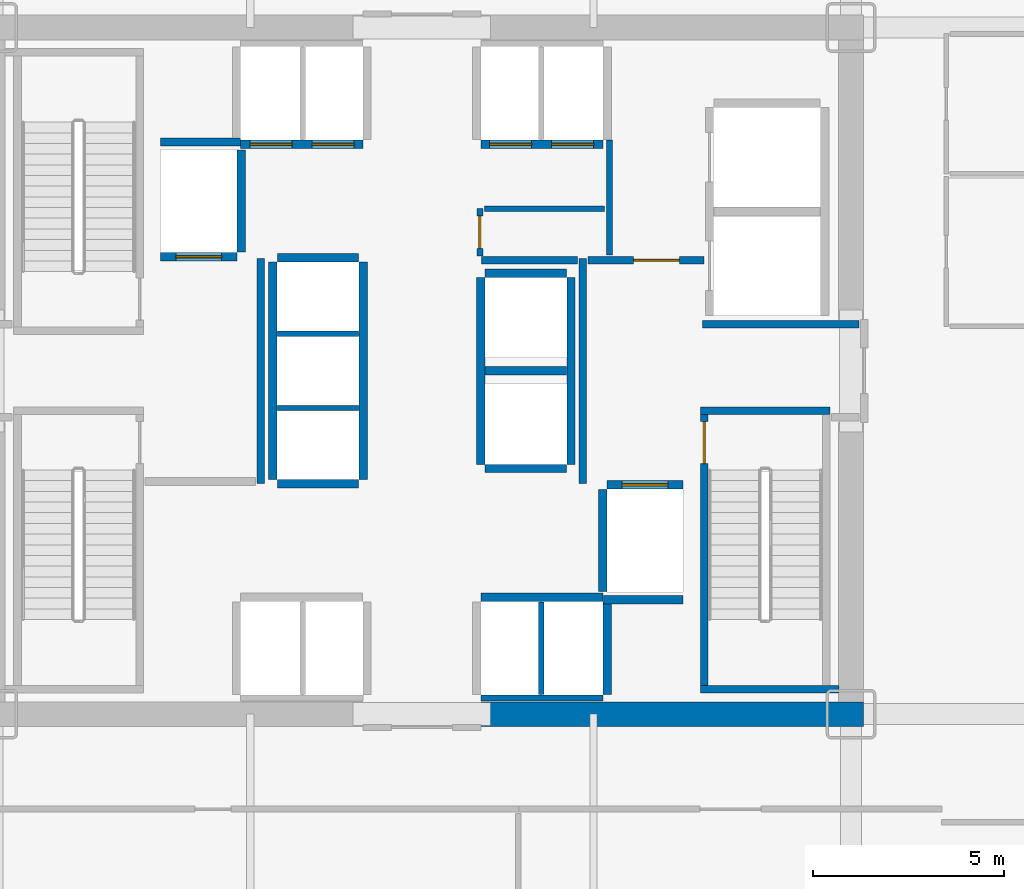
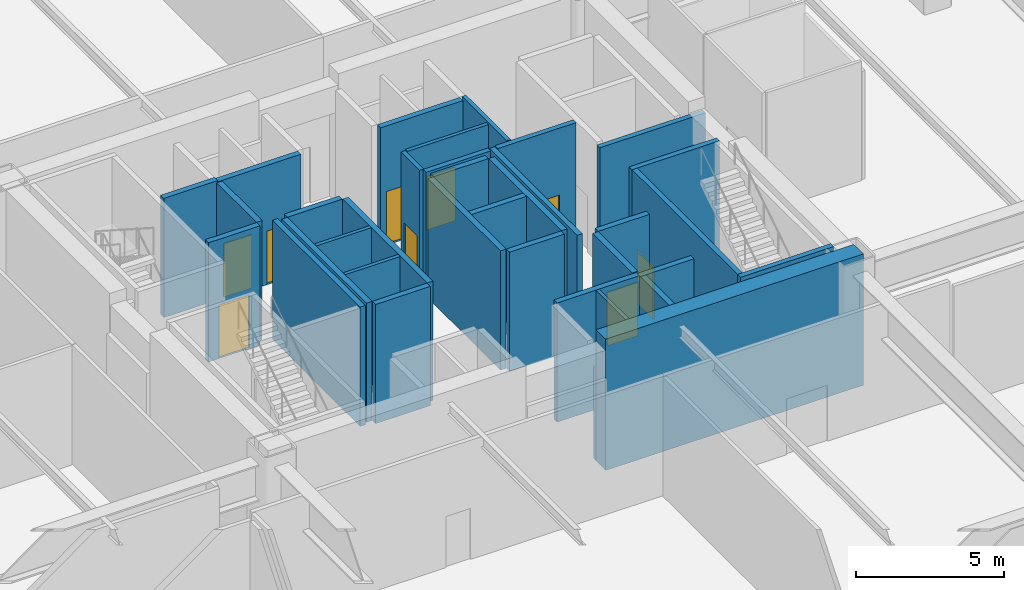
# One storey, part 18 of 24: 35 walls, 9 doors, 9 openings.
"""IFC4 building model written with IfcOpenShell, lengths in metres."""

from ifc_helpers import new_model, si_unit, direction, frame, frame_2d, origin, place, context, subcontext, project, spatial, rectangle, extrude, source, transform, mapped, material, layer, layer_set, type_object, element, fill, save


model = new_model("IFC4")

# Units and contexts
model_context = context("Model", 3, precision=1e-05, world=origin(), true_north=direction((0.0, 1.0)))
body_context = subcontext(model_context, "Body", "Model", "MODEL_VIEW")
ifc_project = project(units=[si_unit("LENGTHUNIT", "METRE"), si_unit("AREAUNIT", "SQUARE_METRE"), si_unit("VOLUMEUNIT", "CUBIC_METRE"), si_unit("PLANEANGLEUNIT", "RADIAN"), si_unit("MASSUNIT", "GRAM", prefix="KILO")], contexts=[model_context])

# Site, building, storey
site_placement = place(None, origin())
site = spatial("IfcSite", under=ifc_project, at=site_placement, CompositionType="ELEMENT")
building_placement = place(site_placement, origin())
building = spatial("IfcBuilding", under=site, at=building_placement, Name="Nefas-Gora Pilgrimage Tower", CompositionType="ELEMENT")
storey_placement = place(building_placement, frame((0.0, 0.0, 22.199951171875)))
storey = spatial("IfcBuildingStorey", under=building, at=storey_placement, Name="L04", CompositionType="ELEMENT", Elevation=22.199951171875)

# Walls
ifc_material_1 = material(Name="Concrete C60/75", Category="concrete")
ifc_layer_1 = layer(ifc_material_1, 0.64990234375)
ifc_layer_set_1 = layer_set([ifc_layer_1], Name="Concrete C60/75")
wall_type_1 = type_object("IfcWallType", Name="SW-CORE-650", PredefinedType="SHEAR", material=ifc_layer_set_1)
shared_shape_1 = source(origin(), body_context, "Body", "SweptSolid", [
    extrude(rectangle(XDim=10.02490234375, YDim=0.64990234375, at=frame_2d((5.012451171875, 0.0))), origin(), (0.0, 0.0, 1.0), 5.400146484375),
])
wall_1_placement = place(storey_placement, frame((1.550048828125, -9.0, 0.0), z_axis=(0.0, 0.0, 1.0), x_axis=(1.0, 0.0, 0.0)))
element("IfcWall", 1, at=wall_1_placement, inside=storey, type_object=wall_type_1, Name="L04 Core Shear Wall S-East", PredefinedType="SHEAR", context=body_context, shape_type="MappedRepresentation", body=[
    mapped(shared_shape_1, transform((0.0, 0.0, 0.0), x_axis=(1.0, 0.0, 0.0), y_axis=(0.0, 1.0, 0.0), z_axis=(0.0, 0.0, 1.0), scale=1.0)),
])
ifc_material_2 = material(Name="Concrete C45/55", Category="concrete")
ifc_layer_2 = layer(ifc_material_2, 0.199951171875)
ifc_layer_set_2 = layer_set([ifc_layer_2], Name="Concrete C45/55")
wall_type_2 = type_object("IfcWallType", Name="IW-STAIR-200", PredefinedType="SOLIDWALL", material=ifc_layer_set_2)
shared_shape_2 = source(origin(), body_context, "Body", "SweptSolid", [
    extrude(rectangle(XDim=3.39990234375, YDim=0.199951171875, at=frame_2d((1.699951171875, 0.0))), origin(), (0.0, 0.0, 1.0), 5.400146484375),
])
wall_2_placement = place(storey_placement, frame((7.300048828125, -1.050048828125, 0.0), z_axis=(0.0, 0.0, 1.0), x_axis=(1.0, 0.0, 0.0)))
element("IfcWall", 2, at=wall_2_placement, inside=storey, type_object=wall_type_2, Name="L04 Stairwell Shear Wall ST-02-near", PredefinedType="SOLIDWALL", context=body_context, shape_type="MappedRepresentation", body=[
    mapped(shared_shape_2, transform((0.0, 0.0, 0.0), x_axis=(1.0, 0.0, 0.0), y_axis=(0.0, 1.0, 0.0), z_axis=(0.0, 0.0, 1.0), scale=1.0)),
])
shared_shape_3 = source(origin(), body_context, "Body", "SweptSolid", [
    extrude(rectangle(XDim=3.6298828125, YDim=0.199951171875, at=frame_2d((1.81494140625, 0.0))), origin(), (0.0, 0.0, 1.0), 5.400146484375),
])
wall_3_placement = place(storey_placement, frame((7.300048828125, -8.35009765625, 0.0), z_axis=(0.0, 0.0, 1.0), x_axis=(1.0, 0.0, 0.0)))
element("IfcWall", 3, at=wall_3_placement, inside=storey, type_object=wall_type_2, Name="L04 Stairwell Shear Wall ST-02-far", PredefinedType="SOLIDWALL", context=body_context, shape_type="MappedRepresentation", body=[
    mapped(shared_shape_3, transform((0.0, 0.0, 0.0), x_axis=(1.0, 0.0, 0.0), y_axis=(0.0, 1.0, 0.0), z_axis=(0.0, 0.0, 1.0), scale=1.0)),
])

# Wall, opening, door
shared_shape_4 = source(origin(), body_context, "Body", "SweptSolid", [
    extrude(rectangle(XDim=7.10009765625, YDim=0.199951171875, at=frame_2d((3.550048828125, 0.0))), origin(), (0.0, 0.0, 1.0), 5.400146484375),
])
wall_4_placement = place(storey_placement, frame((7.39990234375, -1.14990234375, 0.0), z_axis=(0.0, 0.0, 1.0), x_axis=(0.0, -1.0, 0.0)))
wall_4 = element("IfcWall", 4, at=wall_4_placement, inside=storey, type_object=wall_type_2, Name="L04 Stairwell Shear Wall ST-02-left", PredefinedType="SOLIDWALL", context=body_context, shape_type="MappedRepresentation", body=[
    mapped(shared_shape_4, transform((0.0, 0.0, 0.0), x_axis=(1.0, 0.0, 0.0), y_axis=(0.0, 1.0, 0.0), z_axis=(0.0, 0.0, 1.0), scale=1.0)),
])
opening_1_placement = place(wall_4_placement, frame((0.179931640625, 0.0, 0.0)))
opening_1 = element("IfcOpeningElement", 5, at=opening_1_placement, cuts=wall_4, Name="Opening ID-ST1", PredefinedType="OPENING", context=body_context, shape_type="SweptSolid", body=[
    extrude(rectangle(XDim=1.10009765625, YDim=2.14990234375, at=frame_2d((0.550048828125, 1.074951171875))), frame((0.0, 0.10986328125, 0.0), z_axis=(0.0, -1.0, 0.0), x_axis=(1.0, 0.0, 0.0)), (0.0, 0.0, 1.0), 0.219970703125),
])
ifc_material_3 = material(Name="Painted galvanised steel fire stair door", Category="steel")
door_type_1 = type_object("IfcDoorType", Name="DR-INT-STAIR-1100", OperationType="NOTDEFINED", PredefinedType="DOOR", material=ifc_material_3)
shared_shape_5 = source(origin(), body_context, "Body", "SweptSolid", [
    extrude(rectangle(XDim=1.10009765625, YDim=2.14990234375, at=frame_2d((0.550048828125, 1.074951171875))), frame((0.0, 0.02490234375, 0.0), z_axis=(0.0, -1.0, 0.0), x_axis=(1.0, 0.0, 0.0)), (0.0, 0.0, 1.0), 0.050048828125),
])
door_1_placement = place(opening_1_placement, origin())
door_1 = element("IfcDoor", 6, at=door_1_placement, inside=storey, type_object=door_type_1, Name="L04 Protected Exit Stair Door ST-02", OperationType="SINGLE_SWING_LEFT", OverallHeight=2.14990234375, OverallWidth=1.10009765625, PredefinedType="DOOR", context=body_context, shape_type="MappedRepresentation", body=[
    mapped(shared_shape_5, transform((0.0, 0.0, 0.0), x_axis=(1.0, 0.0, 0.0), y_axis=(0.0, 1.0, 0.0), z_axis=(0.0, 0.0, 1.0), scale=1.0)),
])
fill(opening_1, door_1)

ifc_material_4 = material(Name="Concrete C40/50", Category="concrete")
ifc_layer_3 = layer(ifc_material_4, 0.219970703125)
ifc_layer_set_3 = layer_set([ifc_layer_3], Name="Concrete C40/50")
wall_type_3 = type_object("IfcWallType", Name="IW-SHAFT-220", PredefinedType="SOLIDWALL", material=ifc_layer_set_3)
shared_shape_6 = source(origin(), body_context, "Body", "SweptSolid", [
    extrude(rectangle(XDim=2.0, YDim=0.219970703125, at=frame_2d((1.0, 0.0))), origin(), (0.0, 0.0, 1.0), 4.905029296875),
])
wall_5_placement = place(storey_placement, frame((-6.85009765625, 2.989990234375, 0.0), z_axis=(0.0, 0.0, 1.0), x_axis=(1.0, 0.0, 0.0)))
wall_5 = element("IfcWall", 7, at=wall_5_placement, inside=storey, type_object=wall_type_3, Name="L04 Hoistway Wall FFL-01-S", PredefinedType="SOLIDWALL", context=body_context, shape_type="MappedRepresentation", body=[
    mapped(shared_shape_6, transform((0.0, 0.0, 0.0), x_axis=(1.0, 0.0, 0.0), y_axis=(0.0, 1.0, 0.0), z_axis=(0.0, 0.0, 1.0), scale=1.0)),
])
opening_2_placement = place(wall_5_placement, frame((0.39990234375, 0.0, 0.0)))
opening_2 = element("IfcOpeningElement", 8, at=opening_2_placement, cuts=wall_5, Name="Opening LD-FF", PredefinedType="OPENING", context=body_context, shape_type="SweptSolid", body=[
    extrude(rectangle(XDim=1.199951171875, YDim=2.199951171875, at=frame_2d((0.60009765625, 1.10009765625))), frame((0.0, 0.119873046875, 0.0), z_axis=(0.0, -1.0, 0.0), x_axis=(1.0, 0.0, 0.0)), (0.0, 0.0, 1.0), 0.239990234375),
])
ifc_material_5 = material(Name="Fire-service sliding lift landing door")
door_type_2 = type_object("IfcDoorType", Name="DR-LIFT-FSAE-1200", OperationType="SLIDING_TO_LEFT", PredefinedType="DOOR", material=ifc_material_5)
shared_shape_7 = source(origin(), body_context, "Body", "SweptSolid", [
    extrude(rectangle(XDim=1.199951171875, YDim=2.199951171875, at=frame_2d((0.60009765625, 1.10009765625))), frame((0.0, 0.02490234375, 0.0), z_axis=(0.0, -1.0, 0.0), x_axis=(1.0, 0.0, 0.0)), (0.0, 0.0, 1.0), 0.050048828125),
])
door_2_placement = place(opening_2_placement, origin())
door_2 = element("IfcDoor", 9, at=door_2_placement, inside=storey, type_object=door_type_2, Name="L04 Sliding Lift Landing Door FFL-01", OperationType="SLIDING_TO_LEFT", OverallHeight=2.199951171875, OverallWidth=1.199951171875, PredefinedType="DOOR", context=body_context, shape_type="MappedRepresentation", body=[
    mapped(shared_shape_7, transform((0.0, 0.0, 0.0), x_axis=(1.0, 0.0, 0.0), y_axis=(0.0, 1.0, 0.0), z_axis=(0.0, 0.0, 1.0), scale=1.0)),
])
fill(opening_2, door_2)

wall_6_placement = place(storey_placement, frame((6.85009765625, -2.989990234375, 0.0), z_axis=(0.0, 0.0, 1.0), x_axis=(-1.0, 0.0, 0.0)))
wall_6 = element("IfcWall", 10, at=wall_6_placement, inside=storey, type_object=wall_type_3, Name="L04 Hoistway Wall FFL-02-N", PredefinedType="SOLIDWALL", context=body_context, shape_type="MappedRepresentation", body=[
    mapped(shared_shape_6, transform((0.0, 0.0, 0.0), x_axis=(1.0, 0.0, 0.0), y_axis=(0.0, 1.0, 0.0), z_axis=(0.0, 0.0, 1.0), scale=1.0)),
])
opening_3_placement = place(wall_6_placement, frame((0.39990234375, 0.0, 0.0)))
opening_3 = element("IfcOpeningElement", 11, at=opening_3_placement, cuts=wall_6, Name="Opening LD-FF", PredefinedType="OPENING", context=body_context, shape_type="SweptSolid", body=[
    extrude(rectangle(XDim=1.199951171875, YDim=2.199951171875, at=frame_2d((0.60009765625, 1.10009765625))), frame((0.0, 0.119873046875, 0.0), z_axis=(0.0, -1.0, 0.0), x_axis=(1.0, 0.0, 0.0)), (0.0, 0.0, 1.0), 0.239990234375),
])
door_3_placement = place(opening_3_placement, origin())
door_3 = element("IfcDoor", 12, at=door_3_placement, inside=storey, type_object=door_type_2, Name="L04 Sliding Lift Landing Door FFL-02", OperationType="SLIDING_TO_LEFT", OverallHeight=2.199951171875, OverallWidth=1.199951171875, PredefinedType="DOOR", context=body_context, shape_type="MappedRepresentation", body=[
    mapped(shared_shape_7, transform((0.0, 0.0, 0.0), x_axis=(1.0, 0.0, 0.0), y_axis=(0.0, 1.0, 0.0), z_axis=(0.0, 0.0, 1.0), scale=1.0)),
])
fill(opening_3, door_3)

# Walls
shared_shape_8 = source(origin(), body_context, "Body", "SweptSolid", [
    extrude(rectangle(XDim=2.679931640625, YDim=0.219970703125, at=frame_2d((1.33984375, 0.0))), origin(), (0.0, 0.0, 1.0), 4.905029296875),
])
for number, where, z_axis, x_axis, name in (
    (13, (-4.739990234375, 3.110107421875, 0.0), (0.0, 0.0, 1.0), (0.0, 1.0, 0.0), "L04 Hoistway Wall FFL-01-E"),
    (14, (4.739990234375, -3.110107421875, 0.0), (0.0, 0.0, 1.0), (0.0, -1.0, 0.0), "L04 Hoistway Wall FFL-02-W"),
):
    element("IfcWall", number, at=place(storey_placement, frame(where, z_axis=z_axis, x_axis=x_axis)), inside=storey, type_object=wall_type_3, Name=name, PredefinedType="SOLIDWALL", context=body_context, shape_type="MappedRepresentation", body=[
        mapped(shared_shape_8, transform((0.0, 0.0, 0.0), x_axis=(1.0, 0.0, 0.0), y_axis=(0.0, 1.0, 0.0), z_axis=(0.0, 0.0, 1.0), scale=1.0)),
    ])

# Wall, openings, doors
shared_shape_9 = source(origin(), body_context, "Body", "SweptSolid", [
    extrude(rectangle(XDim=3.199951171875, YDim=0.219970703125, at=frame_2d((1.60009765625, 0.0))), origin(), (0.0, 0.0, 1.0), 4.905029296875),
])
wall_7_placement = place(storey_placement, frame((-4.75, 5.93994140625, 0.0), z_axis=(0.0, 0.0, 1.0), x_axis=(1.0, 0.0, 0.0)))
wall_7 = element("IfcWall", 15, at=wall_7_placement, inside=storey, type_object=wall_type_3, Name="L04 Hoistway Wall PL1-W-S", PredefinedType="SOLIDWALL", context=body_context, shape_type="MappedRepresentation", body=[
    mapped(shared_shape_9, transform((0.0, 0.0, 0.0), x_axis=(1.0, 0.0, 0.0), y_axis=(0.0, 1.0, 0.0), z_axis=(0.0, 0.0, 1.0), scale=1.0)),
])
opening_4_placement = place(wall_7_placement, frame((0.25, 0.0, 0.0)))
opening_4 = element("IfcOpeningElement", 16, at=opening_4_placement, cuts=wall_7, Name="Opening LD-01", PredefinedType="OPENING", context=body_context, shape_type="SweptSolid", body=[
    extrude(rectangle(XDim=1.10009765625, YDim=2.199951171875, at=frame_2d((0.550048828125, 1.10009765625))), frame((0.0, 0.119873046875, 0.0), z_axis=(0.0, -1.0, 0.0), x_axis=(1.0, 0.0, 0.0)), (0.0, 0.0, 1.0), 0.239990234375),
])
opening_5_placement = place(wall_7_placement, frame((1.875, 0.0, 0.0)))
opening_5 = element("IfcOpeningElement", 17, at=opening_5_placement, cuts=wall_7, Name="Opening LD-01", PredefinedType="OPENING", context=body_context, shape_type="SweptSolid", body=[
    extrude(rectangle(XDim=1.10009765625, YDim=2.199951171875, at=frame_2d((0.550048828125, 1.10009765625))), frame((0.0, 0.119873046875, 0.0), z_axis=(0.0, -1.0, 0.0), x_axis=(1.0, 0.0, 0.0)), (0.0, 0.0, 1.0), 0.239990234375),
])
ifc_material_6 = material(Name="Brushed stainless sliding lift landing door")
door_type_3 = type_object("IfcDoorType", Name="DR-LIFT-PASS-1100", OperationType="DOUBLE_DOOR_SLIDING", PredefinedType="DOOR", material=ifc_material_6)
shared_shape_10 = source(origin(), body_context, "Body", "SweptSolid", [
    extrude(rectangle(XDim=1.10009765625, YDim=2.199951171875, at=frame_2d((0.550048828125, 1.10009765625))), frame((0.0, 0.02490234375, 0.0), z_axis=(0.0, -1.0, 0.0), x_axis=(1.0, 0.0, 0.0)), (0.0, 0.0, 1.0), 0.050048828125),
])
door_4_placement = place(opening_4_placement, origin())
door_4 = element("IfcDoor", 18, at=door_4_placement, inside=storey, type_object=door_type_3, Name="L04 Sliding Lift Landing Door PL1-01", OperationType="DOUBLE_DOOR_SLIDING", OverallHeight=2.199951171875, OverallWidth=1.10009765625, PredefinedType="DOOR", context=body_context, shape_type="MappedRepresentation", body=[
    mapped(shared_shape_10, transform((0.0, 0.0, 0.0), x_axis=(1.0, 0.0, 0.0), y_axis=(0.0, 1.0, 0.0), z_axis=(0.0, 0.0, 1.0), scale=1.0)),
])
fill(opening_4, door_4)
door_5_placement = place(opening_5_placement, origin())
door_5 = element("IfcDoor", 19, at=door_5_placement, inside=storey, type_object=door_type_3, Name="L04 Sliding Lift Landing Door PL1-02", OperationType="DOUBLE_DOOR_SLIDING", OverallHeight=2.199951171875, OverallWidth=1.10009765625, PredefinedType="DOOR", context=body_context, shape_type="MappedRepresentation", body=[
    mapped(shared_shape_10, transform((0.0, 0.0, 0.0), x_axis=(1.0, 0.0, 0.0), y_axis=(0.0, 1.0, 0.0), z_axis=(0.0, 0.0, 1.0), scale=1.0)),
])
fill(opening_5, door_5)

wall_8_placement = place(storey_placement, frame((1.550048828125, 5.93994140625, 0.0), z_axis=(0.0, 0.0, 1.0), x_axis=(1.0, 0.0, 0.0)))
wall_8 = element("IfcWall", 20, at=wall_8_placement, inside=storey, type_object=wall_type_3, Name="L04 Hoistway Wall PL1-E-S", PredefinedType="SOLIDWALL", context=body_context, shape_type="MappedRepresentation", body=[
    mapped(shared_shape_9, transform((0.0, 0.0, 0.0), x_axis=(1.0, 0.0, 0.0), y_axis=(0.0, 1.0, 0.0), z_axis=(0.0, 0.0, 1.0), scale=1.0)),
])
opening_6_placement = place(wall_8_placement, frame((0.22509765625, 0.0, 0.0)))
opening_6 = element("IfcOpeningElement", 21, at=opening_6_placement, cuts=wall_8, Name="Opening LD-01", PredefinedType="OPENING", context=body_context, shape_type="SweptSolid", body=[
    extrude(rectangle(XDim=1.10009765625, YDim=2.199951171875, at=frame_2d((0.550048828125, 1.10009765625))), frame((0.0, 0.119873046875, 0.0), z_axis=(0.0, -1.0, 0.0), x_axis=(1.0, 0.0, 0.0)), (0.0, 0.0, 1.0), 0.239990234375),
])
opening_7_placement = place(wall_8_placement, frame((1.85009765625, 0.0, 0.0)))
opening_7 = element("IfcOpeningElement", 22, at=opening_7_placement, cuts=wall_8, Name="Opening LD-01", PredefinedType="OPENING", context=body_context, shape_type="SweptSolid", body=[
    extrude(rectangle(XDim=1.10009765625, YDim=2.199951171875, at=frame_2d((0.550048828125, 1.10009765625))), frame((0.0, 0.119873046875, 0.0), z_axis=(0.0, -1.0, 0.0), x_axis=(1.0, 0.0, 0.0)), (0.0, 0.0, 1.0), 0.239990234375),
])
door_6_placement = place(opening_6_placement, origin())
door_6 = element("IfcDoor", 23, at=door_6_placement, inside=storey, type_object=door_type_3, Name="L04 Sliding Lift Landing Door PL1-03", OperationType="DOUBLE_DOOR_SLIDING", OverallHeight=2.199951171875, OverallWidth=1.10009765625, PredefinedType="DOOR", context=body_context, shape_type="MappedRepresentation", body=[
    mapped(shared_shape_10, transform((0.0, 0.0, 0.0), x_axis=(1.0, 0.0, 0.0), y_axis=(0.0, 1.0, 0.0), z_axis=(0.0, 0.0, 1.0), scale=1.0)),
])
fill(opening_6, door_6)
door_7_placement = place(opening_7_placement, origin())
door_7 = element("IfcDoor", 24, at=door_7_placement, inside=storey, type_object=door_type_3, Name="L04 Sliding Lift Landing Door PL1-04", OperationType="DOUBLE_DOOR_SLIDING", OverallHeight=2.199951171875, OverallWidth=1.10009765625, PredefinedType="DOOR", context=body_context, shape_type="MappedRepresentation", body=[
    mapped(shared_shape_10, transform((0.0, 0.0, 0.0), x_axis=(1.0, 0.0, 0.0), y_axis=(0.0, 1.0, 0.0), z_axis=(0.0, 0.0, 1.0), scale=1.0)),
])
fill(opening_7, door_7)

# Walls
wall_9_placement = place(storey_placement, frame((4.75, -5.93994140625, 0.0), z_axis=(0.0, 0.0, 1.0), x_axis=(-1.0, 0.0, 0.0)))
element("IfcWall", 25, at=wall_9_placement, inside=storey, type_object=wall_type_3, Name="L04 Hoistway Wall PL2-E-N", PredefinedType="SOLIDWALL", context=body_context, shape_type="MappedRepresentation", body=[
    mapped(shared_shape_9, transform((0.0, 0.0, 0.0), x_axis=(1.0, 0.0, 0.0), y_axis=(0.0, 1.0, 0.0), z_axis=(0.0, 0.0, 1.0), scale=1.0)),
])
ifc_material_7 = material(Name="Gypsum acoustic stud partition")
ifc_layer_4 = layer(ifc_material_7, 0.159912109375)
ifc_layer_set_4 = layer_set([ifc_layer_4], Name="Gypsum acoustic stud partition")
wall_type_4 = type_object("IfcWallType", Name="IW-CORR-160", PredefinedType="PARTITIONING", material=ifc_layer_set_4)
shared_shape_11 = source(origin(), body_context, "Body", "SweptSolid", [
    extrude(rectangle(XDim=3.199951171875, YDim=0.159912109375, at=frame_2d((1.60009765625, 0.0))), origin(), (0.0, 0.0, 1.0), 3.795166015625),
])
wall_10_placement = place(storey_placement, frame((1.550048828125, -8.580078125, 0.0), z_axis=(0.0, 0.0, 1.0), x_axis=(1.0, 0.0, 0.0)))
element("IfcWall", 26, at=wall_10_placement, inside=storey, type_object=wall_type_4, Name="L04 Hoistway Wall PL2-E-S", PredefinedType="PARTITIONING", context=body_context, shape_type="MappedRepresentation", body=[
    mapped(shared_shape_11, transform((0.0, 0.0, 0.0), x_axis=(1.0, 0.0, 0.0), y_axis=(0.0, 1.0, 0.0), z_axis=(0.0, 0.0, 1.0), scale=1.0)),
])
shared_shape_12 = source(origin(), body_context, "Body", "SweptSolid", [
    extrude(rectangle(XDim=2.429931640625, YDim=0.219970703125, at=frame_2d((1.21484375, 0.0))), origin(), (0.0, 0.0, 1.0), 4.905029296875),
])
wall_11_placement = place(storey_placement, frame((4.860107421875, -8.489990234375, 0.0), z_axis=(0.0, 0.0, 1.0), x_axis=(0.0, 1.0, 0.0)))
element("IfcWall", 27, at=wall_11_placement, inside=storey, type_object=wall_type_3, Name="L04 Hoistway Wall PL2-E-E", PredefinedType="SOLIDWALL", context=body_context, shape_type="MappedRepresentation", body=[
    mapped(shared_shape_12, transform((0.0, 0.0, 0.0), x_axis=(1.0, 0.0, 0.0), y_axis=(0.0, 1.0, 0.0), z_axis=(0.0, 0.0, 1.0), scale=1.0)),
])
ifc_material_8 = material(Name="Gypsum twin-stud partition")
ifc_layer_5 = layer(ifc_material_8, 0.139892578125)
ifc_layer_set_5 = layer_set([ifc_layer_5], Name="Gypsum twin-stud partition")
wall_type_5 = type_object("IfcWallType", Name="IW-UNIT-140", PredefinedType="PARTITIONING", material=ifc_layer_set_5)
shared_shape_13 = source(origin(), body_context, "Body", "SweptSolid", [
    extrude(rectangle(XDim=2.429931640625, YDim=0.139892578125, at=frame_2d((1.21484375, 0.0))), origin(), (0.0, 0.0, 1.0), 4.905029296875),
])
wall_12_placement = place(storey_placement, frame((3.125, -8.489990234375, 0.0), z_axis=(0.0, 0.0, 1.0), x_axis=(0.0, 1.0, 0.0)))
element("IfcWall", 28, at=wall_12_placement, inside=storey, type_object=wall_type_5, Name="L04 Hoistway Wall PL2-E-DIV", PredefinedType="PARTITIONING", context=body_context, shape_type="MappedRepresentation", body=[
    mapped(shared_shape_13, transform((0.0, 0.0, 0.0), x_axis=(1.0, 0.0, 0.0), y_axis=(0.0, 1.0, 0.0), z_axis=(0.0, 0.0, 1.0), scale=1.0)),
])
shared_shape_14 = source(origin(), body_context, "Body", "SweptSolid", [
    extrude(rectangle(XDim=5.7001953125, YDim=0.219970703125, at=frame_2d((2.85009765625, 0.0))), origin(), (0.0, 0.0, 1.0), 4.905029296875),
])
for number, where, z_axis, x_axis, name in (
    (29, (-1.5400390625, -2.85009765625, 0.0), (0.0, 0.0, 1.0), (0.0, 1.0, 0.0), "L04 Hoistway Wall PL3-01-03-E"),
    (30, (-3.909912109375, 2.85009765625, 0.0), (0.0, 0.0, 1.0), (0.0, -1.0, 0.0), "L04 Hoistway Wall PL3-01-03-W"),
):
    element("IfcWall", number, at=place(storey_placement, frame(where, z_axis=z_axis, x_axis=x_axis)), inside=storey, type_object=wall_type_3, Name=name, PredefinedType="SOLIDWALL", context=body_context, shape_type="MappedRepresentation", body=[
        mapped(shared_shape_14, transform((0.0, 0.0, 0.0), x_axis=(1.0, 0.0, 0.0), y_axis=(0.0, 1.0, 0.0), z_axis=(0.0, 0.0, 1.0), scale=1.0)),
    ])
shared_shape_15 = source(origin(), body_context, "Body", "SweptSolid", [
    extrude(rectangle(XDim=2.130126953125, YDim=0.219970703125, at=frame_2d((1.06494140625, 0.0))), origin(), (0.0, 0.0, 1.0), 4.905029296875),
])
for number, where, z_axis, x_axis, name in (
    (31, (-3.7900390625, -2.9599609375, 0.0), (0.0, 0.0, 1.0), (1.0, 0.0, 0.0), "L04 Hoistway Wall PL3-01-S"),
    (32, (-1.659912109375, 2.9599609375, 0.0), (0.0, 0.0, 1.0), (-1.0, 0.0, 0.0), "L04 Hoistway Wall PL3-03-N"),
    (33, (1.659912109375, -2.56005859375, 0.0), (0.0, 0.0, 1.0), (1.0, 0.0, 0.0), "L04 Hoistway Wall OBS-01-S"),
    (34, (1.659912109375, 0.0, 0.0), (0.0, 0.0, 1.0), (1.0, 0.0, 0.0), "L04 Hoistway Wall OBS-01-02-DIV"),
    (35, (3.7900390625, 2.56005859375, 0.0), (0.0, 0.0, 1.0), (-1.0, 0.0, 0.0), "L04 Hoistway Wall OBS-02-N"),
):
    element("IfcWall", number, at=place(storey_placement, frame(where, z_axis=z_axis, x_axis=x_axis)), inside=storey, type_object=wall_type_3, Name=name, PredefinedType="SOLIDWALL", context=body_context, shape_type="MappedRepresentation", body=[
        mapped(shared_shape_15, transform((0.0, 0.0, 0.0), x_axis=(1.0, 0.0, 0.0), y_axis=(0.0, 1.0, 0.0), z_axis=(0.0, 0.0, 1.0), scale=1.0)),
    ])
shared_shape_16 = source(origin(), body_context, "Body", "SweptSolid", [
    extrude(rectangle(XDim=2.130126953125, YDim=0.139892578125, at=frame_2d((1.06494140625, 0.0))), origin(), (0.0, 0.0, 1.0), 4.905029296875),
])
for number, where, z_axis, x_axis, name in (
    (36, (-3.7900390625, -0.97509765625, 0.0), (0.0, 0.0, 1.0), (1.0, 0.0, 0.0), "L04 Hoistway Wall PL3-01-02-DIV"),
    (37, (-3.7900390625, 0.97509765625, 0.0), (0.0, 0.0, 1.0), (1.0, 0.0, 0.0), "L04 Hoistway Wall PL3-02-03-DIV"),
):
    element("IfcWall", number, at=place(storey_placement, frame(where, z_axis=z_axis, x_axis=x_axis)), inside=storey, type_object=wall_type_5, Name=name, PredefinedType="PARTITIONING", context=body_context, shape_type="MappedRepresentation", body=[
        mapped(shared_shape_16, transform((0.0, 0.0, 0.0), x_axis=(1.0, 0.0, 0.0), y_axis=(0.0, 1.0, 0.0), z_axis=(0.0, 0.0, 1.0), scale=1.0)),
    ])
shared_shape_17 = source(origin(), body_context, "Body", "SweptSolid", [
    extrude(rectangle(XDim=4.89990234375, YDim=0.219970703125, at=frame_2d((2.449951171875, 0.0))), origin(), (0.0, 0.0, 1.0), 4.905029296875),
])
for number, where, z_axis, x_axis, name in (
    (38, (1.5400390625, 2.449951171875, 0.0), (0.0, 0.0, 1.0), (0.0, -1.0, 0.0), "L04 Hoistway Wall OBS-01-02-W"),
    (39, (3.909912109375, -2.449951171875, 0.0), (0.0, 0.0, 1.0), (0.0, 1.0, 0.0), "L04 Hoistway Wall OBS-01-02-E"),
):
    element("IfcWall", number, at=place(storey_placement, frame(where, z_axis=z_axis, x_axis=x_axis)), inside=storey, type_object=wall_type_3, Name=name, PredefinedType="SOLIDWALL", context=body_context, shape_type="MappedRepresentation", body=[
        mapped(shared_shape_17, transform((0.0, 0.0, 0.0), x_axis=(1.0, 0.0, 0.0), y_axis=(0.0, 1.0, 0.0), z_axis=(0.0, 0.0, 1.0), scale=1.0)),
    ])
shared_shape_18 = source(origin(), body_context, "Body", "SweptSolid", [
    extrude(rectangle(XDim=2.09521484375, YDim=0.219970703125, at=frame_2d((1.047607421875, 0.0))), origin(), (0.0, 0.0, 1.0), 4.905029296875),
])
for number, where, z_axis, x_axis, name in (
    (40, (-6.85009765625, 6.0, 0.0), (0.0, 0.0, 1.0), (1.0, 0.0, 0.0), "L04 Riser Shaft Wall 1"),
    (41, (4.7548828125, -6.0, 0.0), (0.0, 0.0, 1.0), (1.0, 0.0, 0.0), "L04 Riser Shaft Wall 2"),
):
    element("IfcWall", number, at=place(storey_placement, frame(where, z_axis=z_axis, x_axis=x_axis)), inside=storey, type_object=wall_type_3, Name=name, PredefinedType="SOLIDWALL", context=body_context, shape_type="MappedRepresentation", body=[
        mapped(shared_shape_18, transform((0.0, 0.0, 0.0), x_axis=(1.0, 0.0, 0.0), y_axis=(0.0, 1.0, 0.0), z_axis=(0.0, 0.0, 1.0), scale=1.0)),
    ])
ifc_material_9 = material(Name="Gypsum fire-rated shaftwall")
ifc_layer_6 = layer(ifc_material_9, 0.199951171875)
ifc_layer_set_6 = layer_set([ifc_layer_6], Name="Gypsum fire-rated shaftwall")
wall_type_6 = type_object("IfcWallType", Name="IW-FFLOB-200", PredefinedType="PARTITIONING", material=ifc_layer_set_6)
shared_shape_19 = source(origin(), body_context, "Body", "SweptSolid", [
    extrude(rectangle(XDim=5.89990234375, YDim=0.199951171875, at=frame_2d((2.949951171875, 0.0))), origin(), (0.0, 0.0, 1.0), 4.905029296875),
])
for number, where, z_axis, x_axis, name in (
    (42, (-4.219970703125, -2.949951171875, 0.0), (0.0, 0.0, 1.0), (0.0, 1.0, 0.0), "L04 FF Lobby West Inner Wall Wall 4"),
    (43, (4.219970703125, -2.949951171875, 0.0), (0.0, 0.0, 1.0), (0.0, 1.0, 0.0), "L04 FF Lobby East Inner Wall Wall 9"),
):
    element("IfcWall", number, at=place(storey_placement, frame(where, z_axis=z_axis, x_axis=x_axis)), inside=storey, type_object=wall_type_6, Name=name, PredefinedType="PARTITIONING", context=body_context, shape_type="MappedRepresentation", body=[
        mapped(shared_shape_19, transform((0.0, 0.0, 0.0), x_axis=(1.0, 0.0, 0.0), y_axis=(0.0, 1.0, 0.0), z_axis=(0.0, 0.0, 1.0), scale=1.0)),
    ])
shared_shape_20 = source(origin(), body_context, "Body", "SweptSolid", [
    extrude(rectangle(XDim=2.52001953125, YDim=0.199951171875, at=frame_2d((1.260009765625, 0.0))), origin(), (0.0, 0.0, 1.0), 4.905029296875),
])
wall_13_placement = place(storey_placement, frame((1.56005859375, 2.89990234375, 0.0), z_axis=(0.0, 0.0, 1.0), x_axis=(1.0, 0.0, 0.0)))
element("IfcWall", 44, at=wall_13_placement, inside=storey, type_object=wall_type_6, Name="L04 FF Lobby East North Wall Wall 10", PredefinedType="PARTITIONING", context=body_context, shape_type="MappedRepresentation", body=[
    mapped(shared_shape_20, transform((0.0, 0.0, 0.0), x_axis=(1.0, 0.0, 0.0), y_axis=(0.0, 1.0, 0.0), z_axis=(0.0, 0.0, 1.0), scale=1.0)),
])

# Wall, opening, door
shared_shape_21 = source(origin(), body_context, "Body", "SweptSolid", [
    extrude(rectangle(XDim=3.039794921875, YDim=0.199951171875, at=frame_2d((1.52001953125, 0.0))), origin(), (0.0, 0.0, 1.0), 4.905029296875),
])
wall_14_placement = place(storey_placement, frame((4.360107421875, 2.89990234375, 0.0), z_axis=(0.0, 0.0, 1.0), x_axis=(1.0, 0.0, 0.0)))
wall_14 = element("IfcWall", 45, at=wall_14_placement, inside=storey, type_object=wall_type_6, Name="L04 FF Lobby East North Wall Wall 11", PredefinedType="PARTITIONING", context=body_context, shape_type="MappedRepresentation", body=[
    mapped(shared_shape_21, transform((0.0, 0.0, 0.0), x_axis=(1.0, 0.0, 0.0), y_axis=(0.0, 1.0, 0.0), z_axis=(0.0, 0.0, 1.0), scale=1.0)),
])
opening_8_placement = place(wall_14_placement, frame((1.18994140625, 0.0, 0.0)))
opening_8 = element("IfcOpeningElement", 46, at=opening_8_placement, cuts=wall_14, Name="Opening ID-PL1", PredefinedType="OPENING", context=body_context, shape_type="SweptSolid", body=[
    extrude(rectangle(XDim=1.199951171875, YDim=2.14990234375, at=frame_2d((0.60009765625, 1.074951171875))), frame((0.0, 0.10986328125, 0.0), z_axis=(0.0, -1.0, 0.0), x_axis=(1.0, 0.0, 0.0)), (0.0, 0.0, 1.0), 0.219970703125),
])
ifc_material_10 = material(Name="Heavy-duty steel plant room fire door", Category="steel")
door_type_4 = type_object("IfcDoorType", Name="DR-INT-PLANT-1200", OperationType="NOTDEFINED", PredefinedType="DOOR", material=ifc_material_10)
shared_shape_22 = source(origin(), body_context, "Body", "SweptSolid", [
    extrude(rectangle(XDim=1.199951171875, YDim=2.14990234375, at=frame_2d((0.60009765625, 1.074951171875))), frame((0.0, 0.02490234375, 0.0), z_axis=(0.0, -1.0, 0.0), x_axis=(1.0, 0.0, 0.0)), (0.0, 0.0, 1.0), 0.050048828125),
])
door_8_placement = place(opening_8_placement, origin())
door_8 = element("IfcDoor", 47, at=door_8_placement, inside=storey, type_object=door_type_4, Name="L04 Service Lift Lobby Door Door 3", OperationType="SINGLE_SWING_LEFT", OverallHeight=2.14990234375, OverallWidth=1.199951171875, PredefinedType="DOOR", context=body_context, shape_type="MappedRepresentation", body=[
    mapped(shared_shape_22, transform((0.0, 0.0, 0.0), x_axis=(1.0, 0.0, 0.0), y_axis=(0.0, 1.0, 0.0), z_axis=(0.0, 0.0, 1.0), scale=1.0)),
])
fill(opening_8, door_8)

# Walls
shared_shape_23 = source(origin(), body_context, "Body", "SweptSolid", [
    extrude(rectangle(XDim=4.10986328125, YDim=0.199951171875, at=frame_2d((2.054931640625, 0.0))), origin(), (0.0, 0.0, 1.0), 4.905029296875),
])
wall_15_placement = place(storey_placement, frame((7.35009765625, 1.219970703125, 0.0), z_axis=(0.0, 0.0, 1.0), x_axis=(1.0, 0.0, 0.0)))
element("IfcWall", 48, at=wall_15_placement, inside=storey, type_object=wall_type_6, Name="L04 FF Lobby East Throat N Wall 12", PredefinedType="PARTITIONING", context=body_context, shape_type="MappedRepresentation", body=[
    mapped(shared_shape_23, transform((0.0, 0.0, 0.0), x_axis=(1.0, 0.0, 0.0), y_axis=(0.0, 1.0, 0.0), z_axis=(0.0, 0.0, 1.0), scale=1.0)),
])
shared_shape_24 = source(origin(), body_context, "Body", "SweptSolid", [
    extrude(rectangle(XDim=3.014892578125, YDim=0.159912109375, at=frame_2d((1.50732421875, 0.0))), origin(), (0.0, 0.0, 1.0), 4.905029296875),
])
wall_16_placement = place(storey_placement, frame((4.919921875, 3.0400390625, 0.0), z_axis=(0.0, 0.0, 1.0), x_axis=(0.0, 1.0, 0.0)))
element("IfcWall", 49, at=wall_16_placement, inside=storey, type_object=wall_type_4, Name="L04 Service Lift Lobby West Wall Wall 16", PredefinedType="PARTITIONING", context=body_context, shape_type="MappedRepresentation", body=[
    mapped(shared_shape_24, transform((0.0, 0.0, 0.0), x_axis=(1.0, 0.0, 0.0), y_axis=(0.0, 1.0, 0.0), z_axis=(0.0, 0.0, 1.0), scale=1.0)),
])

# Wall, opening, door
shared_shape_25 = source(origin(), body_context, "Body", "SweptSolid", [
    extrude(rectangle(XDim=1.25, YDim=0.159912109375, at=frame_2d((0.625, 0.0))), origin(), (0.0, 0.0, 1.0), 4.905029296875),
])
wall_17_placement = place(storey_placement, frame((1.52001953125, 3.010009765625, 0.0), z_axis=(0.0, 0.0, 1.0), x_axis=(0.0, 1.0, 0.0)))
wall_17 = element("IfcWall", 50, at=wall_17_placement, inside=storey, type_object=wall_type_4, Name="L04 Core Communications Room Wall 17", PredefinedType="PARTITIONING", context=body_context, shape_type="MappedRepresentation", body=[
    mapped(shared_shape_25, transform((0.0, 0.0, 0.0), x_axis=(1.0, 0.0, 0.0), y_axis=(0.0, 1.0, 0.0), z_axis=(0.0, 0.0, 1.0), scale=1.0)),
])
opening_9_placement = place(wall_17_placement, frame((0.199951171875, 0.0, 0.0)))
opening_9 = element("IfcOpeningElement", 51, at=opening_9_placement, cuts=wall_17, Name="Opening ID-BT1", PredefinedType="OPENING", context=body_context, shape_type="SweptSolid", body=[
    extrude(rectangle(XDim=0.85009765625, YDim=2.10009765625, at=frame_2d((0.425048828125, 1.050048828125))), frame((0.0, 0.08984375, 0.0), z_axis=(0.0, -1.0, 0.0), x_axis=(1.0, 0.0, 0.0)), (0.0, 0.0, 1.0), 0.179931640625),
])
ifc_material_11 = material(Name="Moisture-resistant fire-rated timber door", Category="wood")
door_type_5 = type_object("IfcDoorType", Name="DR-INT-BATH-850", OperationType="NOTDEFINED", PredefinedType="DOOR", material=ifc_material_11)
shared_shape_26 = source(origin(), body_context, "Body", "SweptSolid", [
    extrude(rectangle(XDim=0.85009765625, YDim=2.10009765625, at=frame_2d((0.425048828125, 1.050048828125))), frame((0.0, 0.02490234375, 0.0), z_axis=(0.0, -1.0, 0.0), x_axis=(1.0, 0.0, 0.0)), (0.0, 0.0, 1.0), 0.050048828125),
])
door_9_placement = place(opening_9_placement, origin())
door_9 = element("IfcDoor", 52, at=door_9_placement, inside=storey, type_object=door_type_5, Name="L04 Core Communications Room Door 6", OperationType="SINGLE_SWING_RIGHT", OverallHeight=2.10009765625, OverallWidth=0.85009765625, PredefinedType="DOOR", context=body_context, shape_type="MappedRepresentation", body=[
    mapped(shared_shape_26, transform((0.0, 0.0, 0.0), x_axis=(1.0, 0.0, 0.0), y_axis=(0.0, 1.0, 0.0), z_axis=(0.0, 0.0, 1.0), scale=1.0)),
])
fill(opening_9, door_9)

# Wall
shared_shape_27 = source(origin(), body_context, "Body", "SweptSolid", [
    extrude(rectangle(XDim=3.150146484375, YDim=0.139892578125, at=frame_2d((1.5751953125, 0.0))), origin(), (0.0, 0.0, 1.0), 4.905029296875),
])
wall_18_placement = place(storey_placement, frame((1.639892578125, 4.25, 0.0), z_axis=(0.0, 0.0, 1.0), x_axis=(1.0, 0.0, 0.0)))
element("IfcWall", 53, at=wall_18_placement, inside=storey, type_object=wall_type_5, Name="L04 Core Communications Room Partition Wall 18", PredefinedType="PARTITIONING", context=body_context, shape_type="MappedRepresentation", body=[
    mapped(shared_shape_27, transform((0.0, 0.0, 0.0), x_axis=(1.0, 0.0, 0.0), y_axis=(0.0, 1.0, 0.0), z_axis=(0.0, 0.0, 1.0), scale=1.0)),
])

save(model, "model.ifc")
